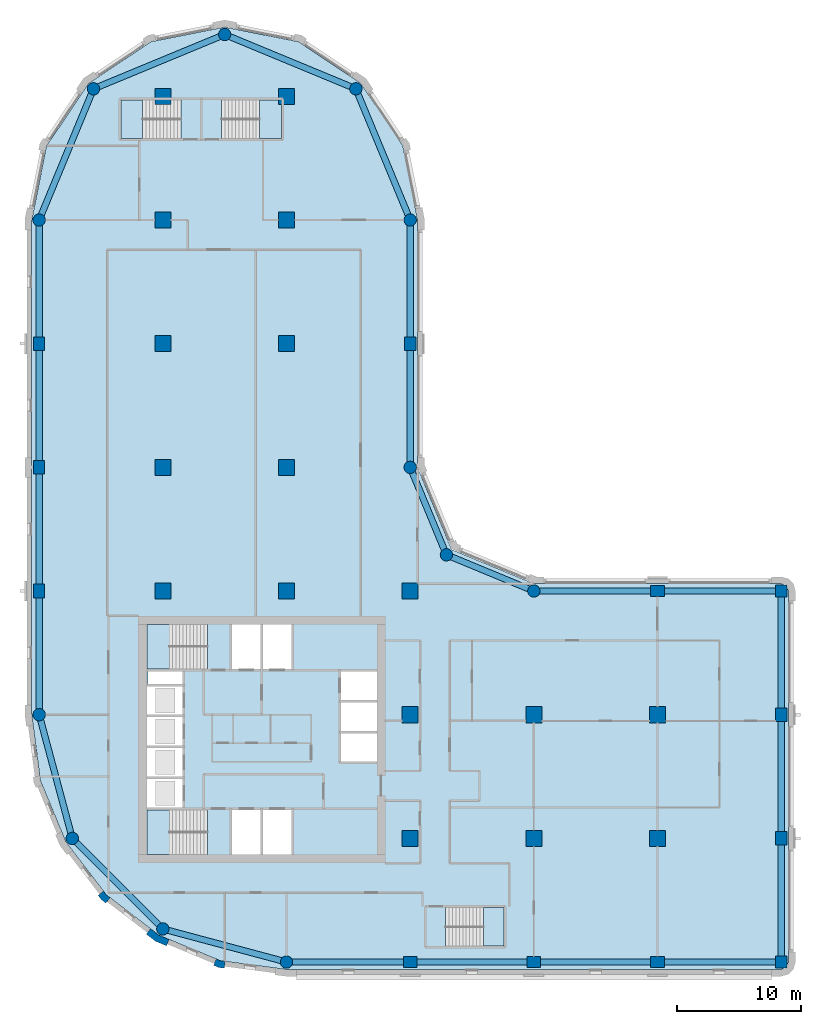
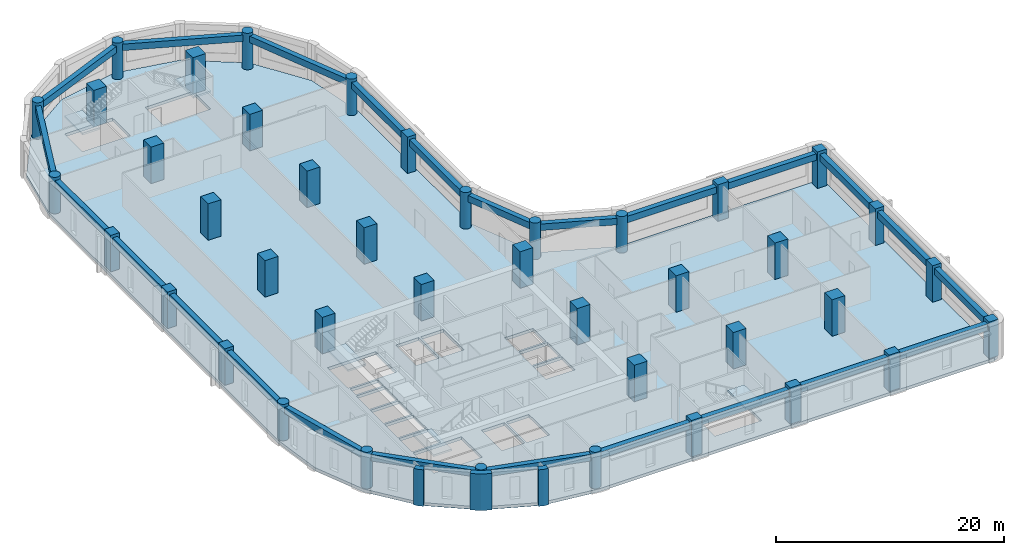
# One storey, part 1 of 9: 41 columns, 24 beams, 6 slabs, 3 walls, 5 elements without a shape of their own.
"""IFC4 building model written with IfcOpenShell, lengths in metres."""

import ifcopenshell
import ifcopenshell.guid

model = None  # the IFC model being written
_history = None  # IfcOwnerHistory: only IFC2X3 demands one
_inside = {}  # id of a spatial element -> (the spatial element, [elements in it])
_under = {}  # id of a project, library or spatial element -> (it, [spatial elements below it])
_declared = {}  # id of a project -> (the project, [libraries it declares])
_typed = {}  # id of a type object -> (the type object, [elements of that type])
_made_of = {}  # id of a material, layer set ... -> (it, [elements and type objects made of it])


def new_model(schema):
    """Start an empty IFC model of exactly this schema.

    Asked for "IFC4X3", IfcOpenShell would pick the latest addendum, in which some entities
    have other attributes; the version numbers below select the first issue.
    IFC2X3 requires an IfcOwnerHistory on every rooted entity: one is made here for all.
    """
    global model, _history
    if schema == "IFC4X3":
        model = ifcopenshell.file(schema_version=(4, 3, 0, 0))
    else:
        model = ifcopenshell.file(schema=schema)
    _inside.clear()
    _under.clear()
    _declared.clear()
    _typed.clear()
    _made_of.clear()
    _history = None
    if model.schema == "IFC2X3":
        org = make("IfcOrganization", Name="unknown")
        user = make(
            "IfcPersonAndOrganization",
            ThePerson=make("IfcPerson", FamilyName="unknown"),
            TheOrganization=org,
        )
        app = make(
            "IfcApplication",
            ApplicationDeveloper=org,
            Version="unknown",
            ApplicationFullName="unknown",
            ApplicationIdentifier="unknown",
        )
        _history = make(
            "IfcOwnerHistory",
            OwningUser=user,
            OwningApplication=app,
            ChangeAction="ADDED",
            CreationDate=0,
        )
    return model


def make(cls, **values):
    """One entity of the class cls with the attributes given. An attribute that is None is left unset."""
    return model.create_entity(
        cls, **{name: value for name, value in values.items() if value is not None}
    )


def rooted(cls, **values):
    """An entity with a GlobalId (a new one), such as an element, a storey or a relation."""
    return make(cls, GlobalId=ifcopenshell.guid.new(), OwnerHistory=_history, **values)


def si_unit(unit_type, name, prefix=None):
    """IfcSIUnit, for example si_unit("LENGTHUNIT", "METRE", prefix="MILLI")."""
    return make("IfcSIUnit", UnitType=unit_type, Prefix=prefix, Name=name)


def assignment(units):
    """IfcUnitAssignment: the units of a project."""
    return None if units is None else make("IfcUnitAssignment", Units=units)


def point(xyz):
    """IfcCartesianPoint."""
    return None if xyz is None else make("IfcCartesianPoint", Coordinates=xyz)


def direction(xyz):
    """IfcDirection."""
    return None if xyz is None else make("IfcDirection", DirectionRatios=xyz)


def frame(location, z_axis=None, x_axis=None):
    """IfcAxis2Placement3D, a coordinate frame: its origin and axes. An axis left out is left unset."""
    return make(
        "IfcAxis2Placement3D",
        Location=point(location),
        Axis=direction(z_axis),
        RefDirection=direction(x_axis),
    )


def frame_2d(location, x_axis=None):
    """IfcAxis2Placement2D, a coordinate frame in the plane: its origin and x axis."""
    return make(
        "IfcAxis2Placement2D", Location=point(location), RefDirection=direction(x_axis)
    )


def origin():
    """The frame at (0, 0, 0) with its axes left unset."""
    return frame((0.0, 0.0, 0.0))


def origin_2d():
    """The frame at (0, 0) in the plane with its x axis left unset."""
    return frame_2d((0.0, 0.0))


def place(relative_to, where):
    """IfcLocalPlacement: puts the frame where relative to a parent placement (None: the world)."""
    return make(
        "IfcLocalPlacement", PlacementRelTo=relative_to, RelativePlacement=where
    )


def context(
    kind, dimensions, precision=None, world=None, true_north=None, identifier=None
):
    """IfcGeometricRepresentationContext, for example the 3D "Model" context."""
    return make(
        "IfcGeometricRepresentationContext",
        ContextIdentifier=identifier,
        ContextType=kind,
        CoordinateSpaceDimension=dimensions,
        Precision=precision,
        WorldCoordinateSystem=world,
        TrueNorth=true_north,
    )


def subcontext(parent, identifier, kind, view, scale=None):
    """IfcGeometricRepresentationSubContext, for example "Body" below "Model"."""
    return make(
        "IfcGeometricRepresentationSubContext",
        ContextIdentifier=identifier,
        ContextType=kind,
        ParentContext=parent,
        TargetScale=scale,
        TargetView=view,
    )


def project(units=None, contexts=None):
    """IfcProject with its units and contexts."""
    return rooted(
        "IfcProject",
        Name="project",
        RepresentationContexts=contexts,
        UnitsInContext=assignment(units),
    )


def spatial(cls, under=None, at=None, **own):
    """A site, building, storey or space (cls), placed at a placement, below another one or the project."""
    s = rooted(cls, ObjectPlacement=at, **own)
    if under is not None:
        _under.setdefault(under.id(), (under, []))[1].append(s)
    return s


def polyline(points):
    """IfcPolyline through the points."""
    return make("IfcPolyline", Points=[point(p) for p in points])


def profile(cls, at=None, kind="AREA", **sizes):
    """A parametric profile (cls). Its sizes go by their IFC names, for example OverallWidth=200.0."""
    return make(cls, ProfileType=kind, Position=at, **sizes)


def rectangle(**sizes):
    """IfcRectangleProfileDef."""
    return profile("IfcRectangleProfileDef", **sizes)


def circle(**sizes):
    """IfcCircleProfileDef."""
    return profile("IfcCircleProfileDef", **sizes)


def outline(outer, holes=None, kind="AREA"):
    """IfcArbitraryClosedProfileDef: a profile drawn as a closed curve; with holes, ...WithVoids."""
    if holes is None:
        return make("IfcArbitraryClosedProfileDef", ProfileType=kind, OuterCurve=outer)
    return make(
        "IfcArbitraryProfileDefWithVoids",
        ProfileType=kind,
        OuterCurve=outer,
        InnerCurves=holes,
    )


def extrude(swept, where, along, depth):
    """IfcExtrudedAreaSolid: the profile swept, set in the frame where, extruded along a direction by depth."""
    return make(
        "IfcExtrudedAreaSolid",
        SweptArea=swept,
        Position=where,
        ExtrudedDirection=direction(along),
        Depth=depth,
    )


def shape(context_of_items, identifier, shape_type, items):
    """IfcShapeRepresentation: the items that make up one representation, for example the "Body"."""
    return make(
        "IfcShapeRepresentation",
        ContextOfItems=context_of_items,
        RepresentationIdentifier=identifier,
        RepresentationType=shape_type,
        Items=items,
    )


def material(Name=None, Category=None):
    """IfcMaterial."""
    return make("IfcMaterial", Name=Name, Category=Category)


def layer(
    of_material, thickness, ventilated=None, Name=None, Category=None, Priority=None
):
    """IfcMaterialLayer: one layer of a wall or slab, of a material (None: an air gap)."""
    return make(
        "IfcMaterialLayer",
        Material=of_material,
        LayerThickness=thickness,
        IsVentilated=ventilated,
        Name=Name,
        Category=Category,
        Priority=Priority,
    )


def layer_set(layers, Name=None):
    """IfcMaterialLayerSet."""
    return make("IfcMaterialLayerSet", MaterialLayers=layers, LayerSetName=Name)


def material_profile(
    of_material, cross_section, Name=None, Category=None, Priority=None
):
    """IfcMaterialProfile: a cross section and its material."""
    return make(
        "IfcMaterialProfile",
        Name=Name,
        Material=of_material,
        Profile=cross_section,
        Priority=Priority,
        Category=Category,
    )


def profile_set(profiles, Name=None, composite=None):
    """IfcMaterialProfileSet."""
    return make(
        "IfcMaterialProfileSet",
        Name=Name,
        MaterialProfiles=profiles,
        CompositeProfile=composite,
    )


def made_of(thing, what):
    """Note that an element or type object is made of a material, layer set ...; save() writes the relation."""
    if what is not None:
        _made_of.setdefault(what.id(), (what, []))[1].append(thing)
    return thing


def type_object(cls, material=None, **own):
    """A type object (cls), such as IfcWallType, which elements share."""
    return made_of(rooted(cls, **own), material)


def element(
    cls,
    number,
    at=None,
    inside=None,
    cuts=None,
    type_object=None,
    material=None,
    context=None,
    identifier="Body",
    shape_type=None,
    held_by="IfcProductDefinitionShape",
    body=None,
    shapes=None,
    **own,
):
    """One element of the class cls, such as IfcWall. Its Tag is "e" and its number.

    at: its placement. inside: the storey or other place that contains it. cuts: it is an
    opening in that element (IfcRelVoidsElement). A single representation is given by context,
    identifier, shape_type and body (its items); several are given by shapes. held_by: the class
    of the entity that holds the representations. save() writes the other relations.
    """
    e = rooted(cls, Tag="e%d" % number, ObjectPlacement=at, **own)
    if body is not None:
        shapes = [shape(context, identifier, shape_type, body)]
    if shapes is not None:
        e.Representation = make(held_by, Representations=shapes)
    if inside is not None:
        _inside.setdefault(inside.id(), (inside, []))[1].append(e)
    if cuts is not None:
        rooted(
            "IfcRelVoidsElement", RelatingBuildingElement=cuts, RelatedOpeningElement=e
        )
    if type_object is not None:
        _typed.setdefault(type_object.id(), (type_object, []))[1].append(e)
    return made_of(e, material)


def aggregate(whole, parts):
    """IfcRelAggregates: a whole, such as a stair, and the parts it consists of."""
    return rooted("IfcRelAggregates", RelatingObject=whole, RelatedObjects=parts)


def save(model, path):
    """Write the relations noted so far, then the file.

    IfcRelAggregates (storeys below a building ...), IfcRelContainedInSpatialStructure (elements
    in a storey), IfcRelDefinesByType, IfcRelAssociatesMaterial and IfcRelDeclares: one each for
    every whole, place, type object, material and project.
    """
    for whole, parts in _under.values():
        aggregate(whole, parts)
    for where, things in _inside.values():
        rooted(
            "IfcRelContainedInSpatialStructure",
            RelatedElements=things,
            RelatingStructure=where,
        )
    for kind, things in _typed.values():
        rooted("IfcRelDefinesByType", RelatedObjects=things, RelatingType=kind)
    for what, things in _made_of.values():
        rooted("IfcRelAssociatesMaterial", RelatedObjects=things, RelatingMaterial=what)
    for by, libraries in _declared.values():
        rooted("IfcRelDeclares", RelatingContext=by, RelatedDefinitions=libraries)
    model.write(path)


model = new_model("IFC4")

# Units and contexts
model_context = context("Model", 3, precision=1e-05, world=origin(), true_north=direction((0.0, 1.0)))
body_context = subcontext(model_context, "Body", "Model", "MODEL_VIEW")
ifc_project = project(units=[si_unit("LENGTHUNIT", "METRE"), si_unit("AREAUNIT", "SQUARE_METRE"), si_unit("VOLUMEUNIT", "CUBIC_METRE"), si_unit("PLANEANGLEUNIT", "RADIAN"), si_unit("MASSUNIT", "GRAM", prefix="KILO")], contexts=[model_context])

# Site, building, storey
site_placement = place(None, origin())
site = spatial("IfcSite", under=ifc_project, at=site_placement, CompositionType="ELEMENT")
building_placement = place(site_placement, origin())
building = spatial("IfcBuilding", under=site, at=building_placement, Name="Qaws Garden Tower", CompositionType="ELEMENT")
storey_placement = place(building_placement, frame((0.0, 0.0, 229.199951171875)))
storey = spatial("IfcBuildingStorey", under=building, at=storey_placement, Name="L56", CompositionType="ELEMENT", Elevation=229.199951171875)

# Columns
ifc_material_1 = material(Name="Concrete C70", Category="concrete")
ifc_material_profile_1 = material_profile(ifc_material_1, rectangle(XDim=1.10009765625, YDim=0.89990234375, at=origin_2d()), Name="RC 1100x900")
ifc_profile_set_1 = profile_set([ifc_material_profile_1], Name="Concrete C70")
column_type_1 = type_object("IfcColumnType", Name="Column RC 1100x900 C70", PredefinedType="COLUMN", material=ifc_profile_set_1)
for number, where, z_axis, x_axis, name in (
    (1, (30.0, 0.0, 0.0), (0.0, 0.0, 1.0), (1.0, 0.0, 0.0), "Column L56-002"),
    (2, (40.0, 0.0, 0.0), (0.0, 0.0, 1.0), (1.0, 0.0, 0.0), "Column L56-003"),
    (3, (50.0, 0.0, 0.0), (0.0, 0.0, 1.0), (1.0, 0.0, 0.0), "Column L56-004"),
    (4, (60.0, 10.0, 0.0), (0.0, 0.0, 1.0), (0.0, 1.0, 0.0), "Column L56-006"),
    (5, (60.0, 20.0, 0.0), (0.0, 0.0, 1.0), (0.0, 1.0, 0.0), "Column L56-007"),
    (6, (50.0, 30.0, 0.0), (0.0, 0.0, 1.0), (1.0, 0.0, 0.0), "Column L56-009"),
    (7, (30.0, 50.0, 0.0), (0.0, 0.0, 1.0), (0.0, 1.0, 0.0), "Column L56-013"),
    (8, (0.0, 50.0, 0.0), (0.0, 0.0, 1.0), (0.0, 1.0, 0.0), "Column L56-019"),
    (9, (0.0, 40.0, 0.0), (0.0, 0.0, 1.0), (0.0, 1.0, 0.0), "Column L56-020"),
    (10, (0.0, 30.0, 0.0), (0.0, 0.0, 1.0), (0.0, 1.0, 0.0), "Column L56-021"),
):
    element("IfcColumn", number, at=place(storey_placement, frame(where, z_axis=z_axis, x_axis=x_axis)), inside=storey, type_object=column_type_1, Name=name, PredefinedType="COLUMN", context=body_context, shape_type="SweptSolid", body=[
        extrude(rectangle(XDim=1.10009765625, YDim=0.89990234375, at=origin_2d()), origin(), (0.0, 0.0, 1.0), 3.900146484375),
    ])
ifc_material_2 = material(Name="Concrete C70", Category="concrete")
ifc_material_profile_2 = material_profile(ifc_material_2, rectangle(XDim=1.300048828125, YDim=1.300048828125, at=origin_2d()), Name="RC 1300x1300")
ifc_profile_set_2 = profile_set([ifc_material_profile_2], Name="Concrete C70")
column_type_2 = type_object("IfcColumnType", Name="Column RC 1300x1300 C70", PredefinedType="COLUMN", material=ifc_profile_set_2)
for number, where, z_axis, x_axis, name in (
    (11, (10.0, 30.0, 0.0), (0.0, 0.0, 1.0), (1.0, 0.0, 0.0), "Column L56-025"),
    (12, (10.0, 40.0, 0.0), (0.0, 0.0, 1.0), (1.0, 0.0, 0.0), "Column L56-026"),
    (13, (10.0, 50.0, 0.0), (0.0, 0.0, 1.0), (1.0, 0.0, 0.0), "Column L56-027"),
    (14, (10.0, 60.0, 0.0), (0.0, 0.0, 1.0), (1.0, 0.0, 0.0), "Column L56-028"),
    (15, (10.0, 70.0, 0.0), (0.0, 0.0, 1.0), (1.0, 0.0, 0.0), "Column L56-029"),
    (16, (20.0, 30.0, 0.0), (0.0, 0.0, 1.0), (1.0, 0.0, 0.0), "Column L56-030"),
    (17, (20.0, 40.0, 0.0), (0.0, 0.0, 1.0), (1.0, 0.0, 0.0), "Column L56-031"),
    (18, (20.0, 50.0, 0.0), (0.0, 0.0, 1.0), (1.0, 0.0, 0.0), "Column L56-032"),
    (19, (20.0, 60.0, 0.0), (0.0, 0.0, 1.0), (1.0, 0.0, 0.0), "Column L56-033"),
    (20, (20.0, 70.0, 0.0), (0.0, 0.0, 1.0), (1.0, 0.0, 0.0), "Column L56-034"),
    (21, (30.0, 10.0, 0.0), (0.0, 0.0, 1.0), (1.0, 0.0, 0.0), "Column L56-035"),
    (22, (30.0, 20.0, 0.0), (0.0, 0.0, 1.0), (1.0, 0.0, 0.0), "Column L56-036"),
    (23, (30.0, 30.0, 0.0), (0.0, 0.0, 1.0), (1.0, 0.0, 0.0), "Column L56-037"),
    (24, (40.0, 10.0, 0.0), (0.0, 0.0, 1.0), (1.0, 0.0, 0.0), "Column L56-038"),
    (25, (40.0, 20.0, 0.0), (0.0, 0.0, 1.0), (1.0, 0.0, 0.0), "Column L56-039"),
    (26, (50.0, 10.0, 0.0), (0.0, 0.0, 1.0), (1.0, 0.0, 0.0), "Column L56-040"),
    (27, (50.0, 20.0, 0.0), (0.0, 0.0, 1.0), (1.0, 0.0, 0.0), "Column L56-041"),
):
    element("IfcColumn", number, at=place(storey_placement, frame(where, z_axis=z_axis, x_axis=x_axis)), inside=storey, type_object=column_type_2, Name=name, PredefinedType="COLUMN", context=body_context, shape_type="SweptSolid", body=[
        extrude(rectangle(XDim=1.300048828125, YDim=1.300048828125, at=origin_2d()), origin(), (0.0, 0.0, 1.0), 3.900146484375),
    ])
ifc_material_3 = material(Name="Concrete C70", Category="concrete")
ifc_material_profile_3 = material_profile(ifc_material_3, rectangle(XDim=0.949951171875, YDim=0.949951171875, at=origin_2d()), Name="RC 950x950")
ifc_profile_set_3 = profile_set([ifc_material_profile_3], Name="Concrete C70")
column_type_3 = type_object("IfcColumnType", Name="Column RC 950x950 C70", PredefinedType="COLUMN", material=ifc_profile_set_3)
for number, where, z_axis, x_axis, name in (
    (28, (60.0, 0.0, 0.0), (0.0, 0.0, 1.0), (1.0, 0.0, 0.0), "Column L56-005"),
    (29, (60.0, 30.0, 0.0), (0.0, 0.0, 1.0), (1.0, 0.0, 0.0), "Column L56-008"),
):
    element("IfcColumn", number, at=place(storey_placement, frame(where, z_axis=z_axis, x_axis=x_axis)), inside=storey, type_object=column_type_3, Name=name, PredefinedType="COLUMN", context=body_context, shape_type="SweptSolid", body=[
        extrude(rectangle(XDim=0.949951171875, YDim=0.949951171875, at=origin_2d()), origin(), (0.0, 0.0, 1.0), 3.900146484375),
    ])
ifc_material_4 = material(Name="Concrete C70", Category="concrete")
ifc_material_profile_4 = material_profile(ifc_material_4, circle(Radius=0.5, at=origin_2d()), Name="RC D1000")
ifc_profile_set_4 = profile_set([ifc_material_profile_4], Name="Concrete C70")
column_type_4 = type_object("IfcColumnType", Name="Column RC D1000 C70", PredefinedType="COLUMN", material=ifc_profile_set_4)
for number, where, z_axis, x_axis, name in (
    (30, (20.0, 0.0, 0.0), (0.0, 0.0, 1.0), (1.0, 0.0, 0.0), "Column L56-001"),
    (31, (40.0, 30.0, 0.0), (0.0, 0.0, 1.0), (1.0, 0.0, 0.0), "Column L56-010"),
    (32, (32.928955078125, 32.928955078125, 0.0), (0.0, 0.0, 1.0), (1.0, 0.0, 0.0), "Column L56-011"),
    (33, (30.0, 40.0, 0.0), (0.0, 0.0, 1.0), (1.0, 0.0, 0.0), "Column L56-012"),
    (34, (30.0, 60.0, 0.0), (0.0, 0.0, 1.0), (1.0, 0.0, 0.0), "Column L56-014"),
    (35, (25.606689453125, 70.606689453125, 0.0), (0.0, 0.0, 1.0), (1.0, 0.0, 0.0), "Column L56-015"),
    (36, (15.0, 75.0, 0.0), (0.0, 0.0, 1.0), (1.0, 0.0, 0.0), "Column L56-016"),
    (37, (4.393310546875, 70.606689453125, 0.0), (0.0, 0.0, 1.0), (1.0, 0.0, 0.0), "Column L56-017"),
    (38, (0.0, 60.0, 0.0), (0.0, 0.0, 1.0), (1.0, 0.0, 0.0), "Column L56-018"),
    (39, (0.0, 20.0, 0.0), (0.0, 0.0, 1.0), (1.0, 0.0, 0.0), "Column L56-022"),
    (40, (2.679443359375, 10.0, 0.0), (0.0, 0.0, 1.0), (1.0, 0.0, 0.0), "Column L56-023"),
    (41, (10.0, 2.679443359375, 0.0), (0.0, 0.0, 1.0), (1.0, 0.0, 0.0), "Column L56-024"),
):
    element("IfcColumn", number, at=place(storey_placement, frame(where, z_axis=z_axis, x_axis=x_axis)), inside=storey, type_object=column_type_4, Name=name, PredefinedType="COLUMN", context=body_context, shape_type="SweptSolid", body=[
        extrude(circle(Radius=0.5, at=origin_2d()), origin(), (0.0, 0.0, 1.0), 3.900146484375),
    ])

# Beams
ifc_material_5 = material(Name="Concrete C45", Category="concrete")
ifc_material_profile_5 = material_profile(ifc_material_5, rectangle(XDim=0.5, YDim=0.699951171875, at=origin_2d()), Name="RC 500x700")
ifc_profile_set_5 = profile_set([ifc_material_profile_5], Name="Concrete C45")
beam_type = type_object("IfcBeamType", Name="Spandrel beam RC 500x700 C45", PredefinedType="SPANDREL", material=ifc_profile_set_5)
for number, where, z_axis, x_axis, name in (
    (42, (20.0, 0.0, 3.22998046875), (1.0, 0.0, 0.0), (0.0, 1.0, 0.0), "Spandrel beam L56-001"),
    (43, (30.0, 0.0, 3.22998046875), (1.0, 0.0, 0.0), (0.0, 1.0, 0.0), "Spandrel beam L56-002"),
    (44, (40.0, 0.0, 3.22998046875), (1.0, 0.0, 0.0), (0.0, 1.0, 0.0), "Spandrel beam L56-003"),
    (45, (50.0, 0.0, 3.22998046875), (1.0, 0.0, 0.0), (0.0, 1.0, 0.0), "Spandrel beam L56-004"),
    (46, (60.0, 0.0, 3.22998046875), (0.0, 1.0, 0.0), (-1.0, 0.0, 0.0), "Spandrel beam L56-005"),
    (47, (60.0, 10.0, 3.22998046875), (0.0, 1.0, 0.0), (-1.0, 0.0, 0.0), "Spandrel beam L56-006"),
    (48, (60.0, 20.0, 3.22998046875), (0.0, 1.0, 0.0), (-1.0, 0.0, 0.0), "Spandrel beam L56-007"),
    (49, (60.0, 30.0, 3.22998046875), (-1.0, 0.0, 0.0), (0.0, -1.0, 0.0), "Spandrel beam L56-008"),
    (50, (50.0, 30.0, 3.22998046875), (-1.0, 0.0, 0.0), (0.0, -1.0, 0.0), "Spandrel beam L56-009"),
):
    element("IfcBeam", number, at=place(storey_placement, frame(where, z_axis=z_axis, x_axis=x_axis)), inside=storey, type_object=beam_type, Name=name, PredefinedType="SPANDREL", context=body_context, shape_type="SweptSolid", body=[
        extrude(rectangle(XDim=0.5, YDim=0.699951171875, at=origin_2d()), origin(), (0.0, 0.0, 1.0), 10.0),
    ])
for number, where, z_axis, x_axis, name in (
    (51, (40.0, 30.0, 3.22998046875), (-0.923878037141, 0.382687042488, 0.0), (-0.382687042488, -0.923878037141, 0.0), "Spandrel beam L56-010"),
    (52, (32.928955078125, 32.928955078125, 3.22998046875), (-0.382687042488, 0.923878037141, 0.0), (-0.923878037141, -0.382687042488, 0.0), "Spandrel beam L56-011"),
):
    element("IfcBeam", number, at=place(storey_placement, frame(where, z_axis=z_axis, x_axis=x_axis)), inside=storey, type_object=beam_type, Name=name, PredefinedType="SPANDREL", context=body_context, shape_type="SweptSolid", body=[
        extrude(rectangle(XDim=0.5, YDim=0.699951171875, at=origin_2d()), origin(), (0.0, 0.0, 1.0), 7.653564453125),
    ])
for number, where, z_axis, x_axis, name in (
    (53, (30.0, 40.0, 3.22998046875), (0.0, 1.0, 0.0), (-1.0, 0.0, 0.0), "Spandrel beam L56-012"),
    (54, (30.0, 50.0, 3.22998046875), (0.0, 1.0, 0.0), (-1.0, 0.0, 0.0), "Spandrel beam L56-013"),
):
    element("IfcBeam", number, at=place(storey_placement, frame(where, z_axis=z_axis, x_axis=x_axis)), inside=storey, type_object=beam_type, Name=name, PredefinedType="SPANDREL", context=body_context, shape_type="SweptSolid", body=[
        extrude(rectangle(XDim=0.5, YDim=0.699951171875, at=origin_2d()), origin(), (0.0, 0.0, 1.0), 10.0),
    ])
for number, where, z_axis, x_axis, name in (
    (55, (30.0, 60.0, 3.22998046875), (-0.382674207535, 0.923883353507, 0.0), (-0.923883353507, -0.382674207535, 0.0), "Spandrel beam L56-014"),
    (56, (25.606689453125, 70.606689453125, 3.22998046875), (-0.923883353507, 0.382674207535, 0.0), (-0.382674207535, -0.923883353507, 0.0), "Spandrel beam L56-015"),
    (57, (15.0, 75.0, 3.22998046875), (-0.923883353507, -0.382674207535, 0.0), (0.382674207535, -0.923883353507, 0.0), "Spandrel beam L56-016"),
    (58, (4.393310546875, 70.606689453125, 3.22998046875), (-0.382674207535, -0.923883353507, 0.0), (0.923883353507, -0.382674207535, 0.0), "Spandrel beam L56-017"),
):
    element("IfcBeam", number, at=place(storey_placement, frame(where, z_axis=z_axis, x_axis=x_axis)), inside=storey, type_object=beam_type, Name=name, PredefinedType="SPANDREL", context=body_context, shape_type="SweptSolid", body=[
        extrude(rectangle(XDim=0.5, YDim=0.699951171875, at=origin_2d()), origin(), (0.0, 0.0, 1.0), 11.48046875),
    ])
for number, where, z_axis, x_axis, name in (
    (59, (0.0, 60.0, 3.22998046875), (0.0, -1.0, 0.0), (1.0, 0.0, 0.0), "Spandrel beam L56-018"),
    (60, (0.0, 50.0, 3.22998046875), (0.0, -1.0, 0.0), (1.0, 0.0, 0.0), "Spandrel beam L56-019"),
    (61, (0.0, 40.0, 3.22998046875), (0.0, -1.0, 0.0), (1.0, 0.0, 0.0), "Spandrel beam L56-020"),
    (62, (0.0, 30.0, 3.22998046875), (0.0, -1.0, 0.0), (1.0, 0.0, 0.0), "Spandrel beam L56-021"),
):
    element("IfcBeam", number, at=place(storey_placement, frame(where, z_axis=z_axis, x_axis=x_axis)), inside=storey, type_object=beam_type, Name=name, PredefinedType="SPANDREL", context=body_context, shape_type="SweptSolid", body=[
        extrude(rectangle(XDim=0.5, YDim=0.699951171875, at=origin_2d()), origin(), (0.0, 0.0, 1.0), 10.0),
    ])
for number, where, z_axis, x_axis, name in (
    (63, (0.0, 20.0, 3.22998046875), (0.25881466832, -0.965926999034, 0.0), (0.965926999034, 0.25881466832, 0.0), "Spandrel beam L56-022"),
    (64, (2.679443359375, 10.0, 3.22998046875), (0.707106781187, -0.707106781187, 0.0), (0.707106781187, 0.707106781187, 0.0), "Spandrel beam L56-023"),
    (65, (10.0, 2.679443359375, 3.22998046875), (0.965926999034, -0.25881466832, 0.0), (0.25881466832, 0.965926999034, 0.0), "Spandrel beam L56-024"),
):
    element("IfcBeam", number, at=place(storey_placement, frame(where, z_axis=z_axis, x_axis=x_axis)), inside=storey, type_object=beam_type, Name=name, PredefinedType="SPANDREL", context=body_context, shape_type="SweptSolid", body=[
        extrude(rectangle(XDim=0.5, YDim=0.699951171875, at=origin_2d()), origin(), (0.0, 0.0, 1.0), 10.352783203125),
    ])

# Slab
ifc_material_6 = material(Name="Concrete C40", Category="concrete")
ifc_layer_1 = layer(ifc_material_6, 0.320068359375)
ifc_layer_set_1 = layer_set([ifc_layer_1], Name="Concrete C40")
slab_type_1 = type_object("IfcSlabType", Name="Floor slab 320 C40", PredefinedType="FLOOR", material=ifc_layer_set_1)
slab_1_placement = place(storey_placement, frame((0.0, 0.0, -0.320068359375)))
element("IfcSlab", 66, at=slab_1_placement, inside=storey, type_object=slab_type_1, Name="Floor slab L56", PredefinedType="FLOOR", context=body_context, shape_type="SweptSolid", body=[
    extrude(outline(polyline([(0.101806640625, 14.668212890625), (-0.60009765625, 20.0), (-0.60009765625, 30.60009765625), (-0.60009765625, 60.0), (-0.60009765625, 60.0), (0.58740234375, 65.969970703125), (3.968994140625, 71.031005859375), (9.030029296875, 74.41259765625), (15.0, 75.60009765625), (20.969970703125, 74.41259765625), (26.031005859375, 71.031005859375), (29.41259765625, 65.969970703125), (30.60009765625, 60.0), (30.60009765625, 40.0), (33.353271484375, 33.353271484375), (40.0, 30.60009765625), (60.0, 30.60009765625), (60.42431640625, 30.42431640625), (60.60009765625, 30.0), (60.60009765625, 0.0), (60.42431640625, -0.42431640625), (60.0, -0.60009765625), (30.60009765625, -0.60009765625), (20.0, -0.60009765625), (14.668212890625, 0.101806640625), (9.699951171875, 2.159912109375), (5.43359375, 5.43359375), (2.159912109375, 9.699951171875), (0.101806640625, 14.668212890625)]), holes=[polyline([(13.599609375, 12.300048828125), (8.699951171875, 12.300048828125), (8.699951171875, 8.699951171875), (13.599609375, 8.699951171875), (13.599609375, 12.300048828125)]), polyline([(17.89990234375, 12.300048828125), (15.60009765625, 12.300048828125), (15.60009765625, 8.699951171875), (17.89990234375, 8.699951171875), (17.89990234375, 12.300048828125)]), polyline([(11.60009765625, 14.800048828125), (8.699951171875, 14.800048828125), (8.699951171875, 12.5), (11.60009765625, 12.5), (11.60009765625, 14.800048828125)]), polyline([(11.60009765625, 17.300048828125), (8.699951171875, 17.300048828125), (8.699951171875, 15.0), (11.60009765625, 15.0), (11.60009765625, 17.300048828125)]), polyline([(11.60009765625, 19.800048828125), (8.699951171875, 19.800048828125), (8.699951171875, 17.5), (11.60009765625, 17.5), (11.60009765625, 19.800048828125)]), polyline([(11.60009765625, 22.300048828125), (8.699951171875, 22.300048828125), (8.699951171875, 20.0), (11.60009765625, 20.0), (11.60009765625, 22.300048828125)]), polyline([(11.60009765625, 23.5), (8.800048828125, 23.5), (8.800048828125, 22.5), (11.60009765625, 22.5), (11.60009765625, 23.5)]), polyline([(13.599609375, 27.300048828125), (8.699951171875, 27.300048828125), (8.699951171875, 23.699951171875), (13.599609375, 23.699951171875), (13.599609375, 27.300048828125)]), polyline([(11.449462890625, 69.699951171875), (6.60009765625, 69.699951171875), (6.60009765625, 66.60009765625), (11.449462890625, 66.60009765625), (11.449462890625, 69.699951171875)]), polyline([(37.60009765625, 4.39990234375), (32.8505859375, 4.39990234375), (32.8505859375, 1.300048828125), (37.60009765625, 1.300048828125), (37.60009765625, 4.39990234375)]), polyline([(20.39990234375, 12.300048828125), (18.10009765625, 12.300048828125), (18.10009765625, 8.699951171875), (20.39990234375, 8.699951171875), (20.39990234375, 12.300048828125)]), polyline([(27.300048828125, 18.5), (24.39990234375, 18.5), (24.39990234375, 16.199951171875), (27.300048828125, 16.199951171875), (27.300048828125, 18.5)]), polyline([(27.300048828125, 21.0), (24.39990234375, 21.0), (24.39990234375, 18.699951171875), (27.300048828125, 18.699951171875), (27.300048828125, 21.0)]), polyline([(27.300048828125, 23.5), (24.39990234375, 23.5), (24.39990234375, 21.199951171875), (27.300048828125, 21.199951171875), (27.300048828125, 23.5)]), polyline([(17.89990234375, 27.300048828125), (15.60009765625, 27.300048828125), (15.60009765625, 23.699951171875), (17.89990234375, 23.699951171875), (17.89990234375, 27.300048828125)]), polyline([(20.39990234375, 23.699951171875), (20.39990234375, 27.300048828125), (18.10009765625, 27.300048828125), (18.10009765625, 23.699951171875), (20.39990234375, 23.699951171875)]), polyline([(19.60009765625, 66.60009765625), (19.60009765625, 69.699951171875), (14.75048828125, 69.699951171875), (14.75048828125, 66.60009765625), (19.60009765625, 66.60009765625)])]), origin(), (0.0, 0.0, 1.0), 0.320068359375),
])

# Stair, slab
ifc_material_7 = material(Name="Concrete C40", Category="concrete")
stair_type_1 = type_object("IfcStairType", Name="Exit stair 1500", PredefinedType="HALF_TURN_STAIR", material=ifc_material_7)
placement_1 = place(storey_placement, origin())
stair_1 = element("IfcStair", 67, at=placement_1, inside=storey, type_object=stair_type_1, Name="Stair 1", PredefinedType="HALF_TURN_STAIR")
ifc_material_8 = material(Name="Concrete C40", Category="concrete")
ifc_layer_2 = layer(ifc_material_8, 0.199951171875)
ifc_layer_set_2 = layer_set([ifc_layer_2], Name="Concrete C40")
slab_type_2 = type_object("IfcSlabType", Name="Stair landing 200", PredefinedType="LANDING", material=ifc_layer_set_2)
placement_2 = place(storey_placement, frame((0.0, 0.0, 1.75)))
slab_2 = element("IfcSlab", 68, at=placement_2, type_object=slab_type_2, Name="ST1 landing 1", PredefinedType="LANDING", context=body_context, shape_type="SweptSolid", body=[
    extrude(outline(polyline([(8.699951171875, 8.699951171875), (10.52001953125, 8.699951171875), (10.52001953125, 12.300048828125), (8.699951171875, 12.300048828125), (8.699951171875, 8.699951171875)])), origin(), (0.0, 0.0, 1.0), 0.199951171875),
])
aggregate(stair_1, [slab_2])

stair_2 = element("IfcStair", 69, at=placement_1, inside=storey, type_object=stair_type_1, Name="Stair 4", PredefinedType="HALF_TURN_STAIR")
slab_3 = element("IfcSlab", 70, at=placement_2, type_object=slab_type_2, Name="ST4 landing 1", PredefinedType="LANDING", context=body_context, shape_type="SweptSolid", body=[
    extrude(outline(polyline([(8.699951171875, 23.699951171875), (10.52001953125, 23.699951171875), (10.52001953125, 27.300048828125), (8.699951171875, 27.300048828125), (8.699951171875, 23.699951171875)])), origin(), (0.0, 0.0, 1.0), 0.199951171875),
])
aggregate(stair_2, [slab_3])

ifc_material_9 = material(Name="Concrete C40", Category="concrete")
stair_type_2 = type_object("IfcStairType", Name="Exit stair 1350", PredefinedType="HALF_TURN_STAIR", material=ifc_material_9)
stair_3 = element("IfcStair", 71, at=placement_1, inside=storey, type_object=stair_type_2, Name="Stair 5", PredefinedType="HALF_TURN_STAIR")
slab_4 = element("IfcSlab", 72, at=placement_2, type_object=slab_type_2, Name="ST5 landing 1", PredefinedType="LANDING", context=body_context, shape_type="SweptSolid", body=[
    extrude(outline(polyline([(35.929931640625, 1.300048828125), (37.60009765625, 1.300048828125), (37.60009765625, 4.39990234375), (35.929931640625, 4.39990234375), (35.929931640625, 1.300048828125)])), origin(), (0.0, 0.0, 1.0), 0.199951171875),
])
aggregate(stair_3, [slab_4])

stair_4 = element("IfcStair", 73, at=placement_1, inside=storey, type_object=stair_type_2, Name="Stair 6", PredefinedType="HALF_TURN_STAIR")
slab_5 = element("IfcSlab", 74, at=placement_2, type_object=slab_type_2, Name="ST6 landing 1", PredefinedType="LANDING", context=body_context, shape_type="SweptSolid", body=[
    extrude(outline(polyline([(6.60009765625, 66.60009765625), (8.3701171875, 66.60009765625), (8.3701171875, 69.699951171875), (6.60009765625, 69.699951171875), (6.60009765625, 66.60009765625)])), origin(), (0.0, 0.0, 1.0), 0.199951171875),
])
aggregate(stair_4, [slab_5])

stair_5 = element("IfcStair", 75, at=placement_1, inside=storey, type_object=stair_type_2, Name="Stair 7", PredefinedType="HALF_TURN_STAIR")
slab_6 = element("IfcSlab", 76, at=placement_2, type_object=slab_type_2, Name="ST7 landing 1", PredefinedType="LANDING", context=body_context, shape_type="SweptSolid", body=[
    extrude(outline(polyline([(17.830078125, 66.60009765625), (19.60009765625, 66.60009765625), (19.60009765625, 69.699951171875), (17.830078125, 69.699951171875), (17.830078125, 66.60009765625)])), origin(), (0.0, 0.0, 1.0), 0.199951171875),
])
aggregate(stair_5, [slab_6])

# Walls
ifc_material_10 = material(Name="Clay facing brick masonry", Category="masonry")
ifc_layer_3 = layer(ifc_material_10, 0.550048828125)
ifc_layer_set_3 = layer_set([ifc_layer_3], Name="Clay facing brick masonry")
wall_type_1 = type_object("IfcWallType", Name="Brick kink pier 550 x 600", PredefinedType="SOLIDWALL", material=ifc_layer_set_3)
element("IfcWall", 77, at=placement_1, inside=storey, type_object=wall_type_1, Name="E-L56-pier-28", PredefinedType="SOLIDWALL", context=body_context, shape_type="SweptSolid", body=[
    extrude(outline(polyline([(4.8818359375, 5.487060546875), (4.762939453125, 5.395751953125), (5.03759765625, 5.03759765625), (5.395751953125, 4.762939453125), (5.487060546875, 4.8818359375), (5.730712890625, 5.19921875), (5.429931640625, 5.429931640625), (5.19921875, 5.730712890625), (4.8818359375, 5.487060546875)])), origin(), (0.0, 0.0, 1.0), 3.900146484375),
])
element("IfcWall", 78, at=placement_1, inside=storey, type_object=wall_type_1, Name="E-L56-pier-30", PredefinedType="SOLIDWALL", context=body_context, shape_type="SweptSolid", body=[
    extrude(outline(polyline([(14.163818359375, -0.127685546875), (14.1064453125, -0.26611328125), (14.5234375, -0.43896484375), (14.970947265625, -0.497802734375), (14.990478515625, -0.34912109375), (15.042724609375, 0.04736328125), (14.6669921875, 0.096923828125), (14.31689453125, 0.241943359375), (14.163818359375, -0.127685546875)])), origin(), (0.0, 0.0, 1.0), 3.900146484375),
])
ifc_material_11 = material(Name="Clay facing brick masonry", Category="masonry")
ifc_layer_4 = layer(ifc_material_11, 0.550048828125)
ifc_layer_set_4 = layer_set([ifc_layer_4], Name="Clay facing brick masonry")
wall_type_2 = type_object("IfcWallType", Name="Brick pier 550 x 1600", PredefinedType="SOLIDWALL", material=ifc_layer_set_4)
element("IfcWall", 79, at=placement_1, inside=storey, type_object=wall_type_2, Name="E-L56-pier-29", PredefinedType="SOLIDWALL", context=body_context, shape_type="SweptSolid", body=[
    extrude(outline(polyline([(8.756591796875, 2.373046875), (8.665283203125, 2.254150390625), (9.419921875, 1.675048828125), (10.299072265625, 1.310791015625), (10.3564453125, 1.449462890625), (10.509521484375, 1.819091796875), (9.697509765625, 2.1552734375), (9.0, 2.6904296875), (8.756591796875, 2.373046875)])), origin(), (0.0, 0.0, 1.0), 3.900146484375),
])

save(model, "model.ifc")
